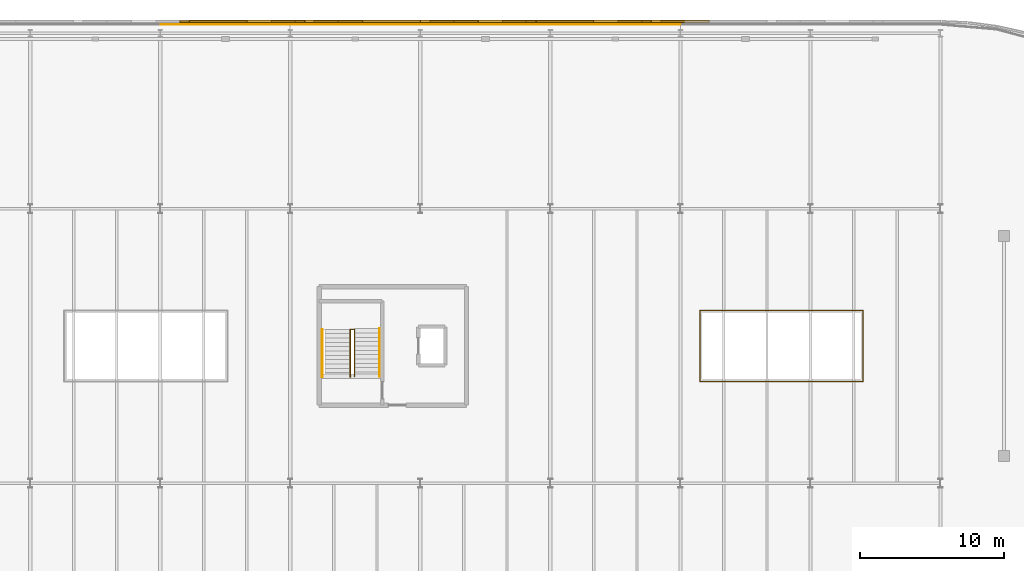
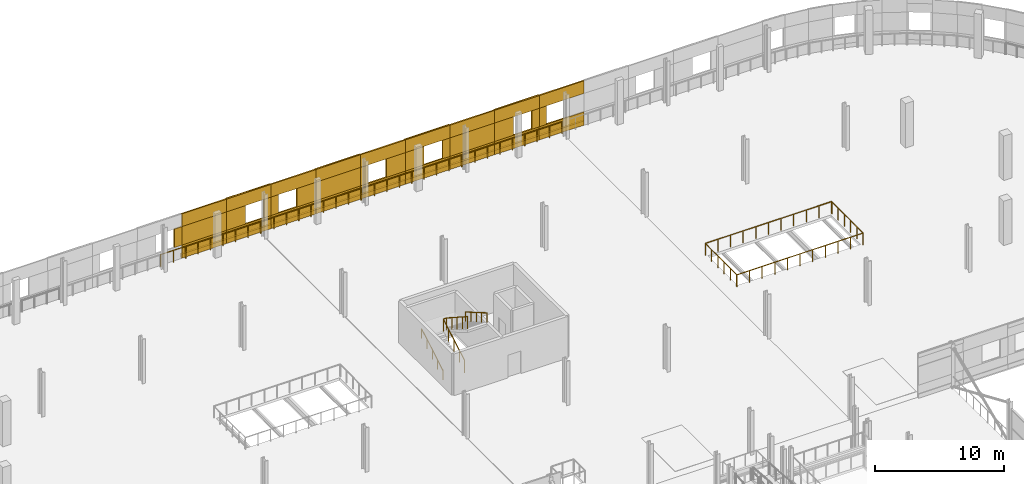
# One storey, part 129 of 135: 46 coverings, 9 railings.
"""IFC4 building model written with IfcOpenShell, lengths in metres."""

from ifc_helpers import new_model, si_unit, direction, frame, origin, origin_2d, place, context, subcontext, project, spatial, rectangle, circle, extrude, material, layer, layer_set, type_object, element, save


model = new_model("IFC4")

# Units and contexts
model_context = context("Model", 3, precision=1e-05, world=origin(), true_north=direction((0.0, 1.0)))
body_context = subcontext(model_context, "Body", "Model", "MODEL_VIEW")
ifc_project = project(units=[si_unit("LENGTHUNIT", "METRE"), si_unit("AREAUNIT", "SQUARE_METRE"), si_unit("VOLUMEUNIT", "CUBIC_METRE"), si_unit("PLANEANGLEUNIT", "RADIAN"), si_unit("MASSUNIT", "GRAM", prefix="KILO")], contexts=[model_context])

# Site, building, storey
site_placement = place(None, origin())
site = spatial("IfcSite", under=ifc_project, at=site_placement, CompositionType="ELEMENT")
building_placement = place(site_placement, origin())
building = spatial("IfcBuilding", under=site, at=building_placement, Name="Deido Ridge Mobility Hub", CompositionType="ELEMENT")
storey_placement = place(building_placement, frame((0.0, 0.0, 4.199951171875)))
storey = spatial("IfcBuildingStorey", under=building, at=storey_placement, Name="L01", CompositionType="ELEMENT", Elevation=4.199951171875)

# Coverings
ifc_material_1 = material(Name="Fired clay brick masonry", Category="masonry")
ifc_layer = layer(ifc_material_1, 0.114990234375, Name="Fired clay brick masonry")
ifc_layer_set = layer_set([ifc_layer], Name="Fired clay brick masonry")
covering_type = type_object("IfcCoveringType", Name="COV-BRK-SCREEN-115", PredefinedType="CLADDING", material=ifc_layer_set)
covering_1_placement = place(storey_placement, frame((99.0, 125.947509765625, 0.0), z_axis=(0.0, 0.0, 1.0), x_axis=(-1.0, 0.0, 0.0)))
element("IfcCovering", 1, at=covering_1_placement, inside=storey, type_object=covering_type, Name="Open brickwork spandrel course BKS1 (L01)", PredefinedType="CLADDING", context=body_context, shape_type="SweptSolid", body=[
    extrude(rectangle(XDim=4.01611328125, YDim=0.125, at=origin_2d()), origin(), (0.0, 0.0, 1.0), 1.25),
])
covering_2_placement = place(storey_placement, frame((99.0, 125.97509765625, 0.0), z_axis=(0.0, 0.0, 1.0), x_axis=(-1.0, 0.0, 0.0)))
element("IfcCovering", 2, at=covering_2_placement, inside=storey, type_object=covering_type, Name="Raised brick relief belt BKS1 (L01)", PredefinedType="CLADDING", context=body_context, shape_type="SweptSolid", body=[
    extrude(rectangle(XDim=4.01611328125, YDim=0.179931640625, at=origin_2d()), origin(), (0.0, 0.0, 1.0), 0.39990234375),
])
covering_3_placement = place(storey_placement, frame((99.0, 125.947509765625, 3.0), z_axis=(0.0, 0.0, 1.0), x_axis=(-1.0, 0.0, 0.0)))
element("IfcCovering", 3, at=covering_3_placement, inside=storey, type_object=covering_type, Name="Open brickwork lintel course BKS1 (L01)", PredefinedType="CLADDING", context=body_context, shape_type="SweptSolid", body=[
    extrude(rectangle(XDim=4.01611328125, YDim=0.125, at=origin_2d()), origin(), (0.0, 0.0, 1.0), 1.199951171875),
])
covering_4_placement = place(storey_placement, frame((97.327392578125, 125.97509765625, 1.25), z_axis=(0.0, 0.0, 1.0), x_axis=(-1.0, 0.0, 0.0)))
element("IfcCovering", 4, at=covering_4_placement, inside=storey, type_object=covering_type, Name="Open brickwork pier BKS1 (L01)", PredefinedType="CLADDING", context=body_context, shape_type="SweptSolid", body=[
    extrude(rectangle(XDim=0.655029296875, YDim=0.179931640625, at=origin_2d()), origin(), (0.0, 0.0, 1.0), 1.75),
])
covering_5_placement = place(storey_placement, frame((95.0, 125.947509765625, 0.0), z_axis=(0.0, 0.0, 1.0), x_axis=(-1.0, 0.0, 0.0)))
element("IfcCovering", 5, at=covering_5_placement, inside=storey, type_object=covering_type, Name="Open brickwork spandrel course BKS1 (L01)", PredefinedType="CLADDING", context=body_context, shape_type="SweptSolid", body=[
    extrude(rectangle(XDim=4.01611328125, YDim=0.125, at=origin_2d()), origin(), (0.0, 0.0, 1.0), 1.25),
])
covering_6_placement = place(storey_placement, frame((95.0, 125.97509765625, 0.0), z_axis=(0.0, 0.0, 1.0), x_axis=(-1.0, 0.0, 0.0)))
element("IfcCovering", 6, at=covering_6_placement, inside=storey, type_object=covering_type, Name="Raised brick relief belt BKS1 (L01)", PredefinedType="CLADDING", context=body_context, shape_type="SweptSolid", body=[
    extrude(rectangle(XDim=4.01611328125, YDim=0.179931640625, at=origin_2d()), origin(), (0.0, 0.0, 1.0), 0.39990234375),
])
covering_7_placement = place(storey_placement, frame((95.0, 125.947509765625, 3.0), z_axis=(0.0, 0.0, 1.0), x_axis=(-1.0, 0.0, 0.0)))
element("IfcCovering", 7, at=covering_7_placement, inside=storey, type_object=covering_type, Name="Open brickwork lintel course BKS1 (L01)", PredefinedType="CLADDING", context=body_context, shape_type="SweptSolid", body=[
    extrude(rectangle(XDim=4.01611328125, YDim=0.125, at=origin_2d()), origin(), (0.0, 0.0, 1.0), 1.199951171875),
])
covering_8_placement = place(storey_placement, frame((95.0, 125.97509765625, 3.83984375), z_axis=(0.0, 0.0, 1.0), x_axis=(-1.0, 0.0, 0.0)))
element("IfcCovering", 8, at=covering_8_placement, inside=storey, type_object=covering_type, Name="Raised brick relief cornice BKS1 (L01)", PredefinedType="CLADDING", context=body_context, shape_type="SweptSolid", body=[
    extrude(rectangle(XDim=4.01611328125, YDim=0.179931640625, at=origin_2d()), origin(), (0.0, 0.0, 1.0), 0.360107421875),
])
covering_9_placement = place(storey_placement, frame((96.672607421875, 125.947509765625, 1.25), z_axis=(0.0, 0.0, 1.0), x_axis=(-1.0, 0.0, 0.0)))
element("IfcCovering", 9, at=covering_9_placement, inside=storey, type_object=covering_type, Name="Open brickwork pier BKS1 (L01)", PredefinedType="CLADDING", context=body_context, shape_type="SweptSolid", body=[
    extrude(rectangle(XDim=0.655029296875, YDim=0.125, at=origin_2d()), origin(), (0.0, 0.0, 1.0), 1.75),
])
covering_10_placement = place(storey_placement, frame((93.847412109375, 125.97509765625, 1.25), z_axis=(0.0, 0.0, 1.0), x_axis=(-1.0, 0.0, 0.0)))
element("IfcCovering", 10, at=covering_10_placement, inside=storey, type_object=covering_type, Name="Open brickwork pier BKS1 (L01)", PredefinedType="CLADDING", context=body_context, shape_type="SweptSolid", body=[
    extrude(rectangle(XDim=1.695068359375, YDim=0.179931640625, at=origin_2d()), origin(), (0.0, 0.0, 1.0), 1.75),
])
covering_11_placement = place(storey_placement, frame((91.0, 125.947509765625, 0.0), z_axis=(0.0, 0.0, 1.0), x_axis=(-1.0, 0.0, 0.0)))
element("IfcCovering", 11, at=covering_11_placement, inside=storey, type_object=covering_type, Name="Open brickwork spandrel course BKS1 (L01)", PredefinedType="CLADDING", context=body_context, shape_type="SweptSolid", body=[
    extrude(rectangle(XDim=4.01611328125, YDim=0.125, at=origin_2d()), origin(), (0.0, 0.0, 1.0), 1.25),
])
covering_12_placement = place(storey_placement, frame((91.0, 125.97509765625, 0.0), z_axis=(0.0, 0.0, 1.0), x_axis=(-1.0, 0.0, 0.0)))
element("IfcCovering", 12, at=covering_12_placement, inside=storey, type_object=covering_type, Name="Raised brick relief belt BKS1 (L01)", PredefinedType="CLADDING", context=body_context, shape_type="SweptSolid", body=[
    extrude(rectangle(XDim=4.01611328125, YDim=0.179931640625, at=origin_2d()), origin(), (0.0, 0.0, 1.0), 0.39990234375),
])
covering_13_placement = place(storey_placement, frame((91.0, 125.947509765625, 3.0), z_axis=(0.0, 0.0, 1.0), x_axis=(-1.0, 0.0, 0.0)))
element("IfcCovering", 13, at=covering_13_placement, inside=storey, type_object=covering_type, Name="Open brickwork lintel course BKS1 (L01)", PredefinedType="CLADDING", context=body_context, shape_type="SweptSolid", body=[
    extrude(rectangle(XDim=4.01611328125, YDim=0.125, at=origin_2d()), origin(), (0.0, 0.0, 1.0), 1.199951171875),
])
covering_14_placement = place(storey_placement, frame((91.0, 125.97509765625, 1.25), z_axis=(0.0, 0.0, 1.0), x_axis=(-1.0, 0.0, 0.0)))
element("IfcCovering", 14, at=covering_14_placement, inside=storey, type_object=covering_type, Name="Raised brick relief panel BKS1 (L01)", PredefinedType="CLADDING", context=body_context, shape_type="SweptSolid", body=[
    extrude(rectangle(XDim=4.008056640625, YDim=0.179931640625, at=origin_2d()), origin(), (0.0, 0.0, 1.0), 1.75),
])
covering_15_placement = place(storey_placement, frame((87.0, 125.947509765625, 0.0), z_axis=(0.0, 0.0, 1.0), x_axis=(-1.0, 0.0, 0.0)))
element("IfcCovering", 15, at=covering_15_placement, inside=storey, type_object=covering_type, Name="Open brickwork spandrel course BKS1 (L01)", PredefinedType="CLADDING", context=body_context, shape_type="SweptSolid", body=[
    extrude(rectangle(XDim=4.01611328125, YDim=0.125, at=origin_2d()), origin(), (0.0, 0.0, 1.0), 1.25),
])
covering_16_placement = place(storey_placement, frame((87.0, 125.97509765625, 0.0), z_axis=(0.0, 0.0, 1.0), x_axis=(-1.0, 0.0, 0.0)))
element("IfcCovering", 16, at=covering_16_placement, inside=storey, type_object=covering_type, Name="Raised brick relief belt BKS1 (L01)", PredefinedType="CLADDING", context=body_context, shape_type="SweptSolid", body=[
    extrude(rectangle(XDim=4.01611328125, YDim=0.179931640625, at=origin_2d()), origin(), (0.0, 0.0, 1.0), 0.39990234375),
])
covering_17_placement = place(storey_placement, frame((87.0, 125.947509765625, 3.0), z_axis=(0.0, 0.0, 1.0), x_axis=(-1.0, 0.0, 0.0)))
element("IfcCovering", 17, at=covering_17_placement, inside=storey, type_object=covering_type, Name="Open brickwork lintel course BKS1 (L01)", PredefinedType="CLADDING", context=body_context, shape_type="SweptSolid", body=[
    extrude(rectangle(XDim=4.01611328125, YDim=0.125, at=origin_2d()), origin(), (0.0, 0.0, 1.0), 1.199951171875),
])
covering_18_placement = place(storey_placement, frame((87.0, 125.97509765625, 3.83984375), z_axis=(0.0, 0.0, 1.0), x_axis=(-1.0, 0.0, 0.0)))
element("IfcCovering", 18, at=covering_18_placement, inside=storey, type_object=covering_type, Name="Raised brick relief cornice BKS1 (L01)", PredefinedType="CLADDING", context=body_context, shape_type="SweptSolid", body=[
    extrude(rectangle(XDim=4.01611328125, YDim=0.179931640625, at=origin_2d()), origin(), (0.0, 0.0, 1.0), 0.360107421875),
])
covering_19_placement = place(storey_placement, frame((88.672607421875, 125.947509765625, 1.25), z_axis=(0.0, 0.0, 1.0), x_axis=(-1.0, 0.0, 0.0)))
element("IfcCovering", 19, at=covering_19_placement, inside=storey, type_object=covering_type, Name="Open brickwork pier BKS1 (L01)", PredefinedType="CLADDING", context=body_context, shape_type="SweptSolid", body=[
    extrude(rectangle(XDim=0.655029296875, YDim=0.125, at=origin_2d()), origin(), (0.0, 0.0, 1.0), 1.75),
])
covering_20_placement = place(storey_placement, frame((85.847412109375, 125.97509765625, 1.25), z_axis=(0.0, 0.0, 1.0), x_axis=(-1.0, 0.0, 0.0)))
element("IfcCovering", 20, at=covering_20_placement, inside=storey, type_object=covering_type, Name="Open brickwork pier BKS1 (L01)", PredefinedType="CLADDING", context=body_context, shape_type="SweptSolid", body=[
    extrude(rectangle(XDim=1.695068359375, YDim=0.179931640625, at=origin_2d()), origin(), (0.0, 0.0, 1.0), 1.75),
])
covering_21_placement = place(storey_placement, frame((83.0, 125.947509765625, 0.0), z_axis=(0.0, 0.0, 1.0), x_axis=(-1.0, 0.0, 0.0)))
element("IfcCovering", 21, at=covering_21_placement, inside=storey, type_object=covering_type, Name="Open brickwork spandrel course BKS1 (L01)", PredefinedType="CLADDING", context=body_context, shape_type="SweptSolid", body=[
    extrude(rectangle(XDim=4.01611328125, YDim=0.125, at=origin_2d()), origin(), (0.0, 0.0, 1.0), 1.25),
])
covering_22_placement = place(storey_placement, frame((83.0, 125.97509765625, 0.0), z_axis=(0.0, 0.0, 1.0), x_axis=(-1.0, 0.0, 0.0)))
element("IfcCovering", 22, at=covering_22_placement, inside=storey, type_object=covering_type, Name="Raised brick relief belt BKS1 (L01)", PredefinedType="CLADDING", context=body_context, shape_type="SweptSolid", body=[
    extrude(rectangle(XDim=4.01611328125, YDim=0.179931640625, at=origin_2d()), origin(), (0.0, 0.0, 1.0), 0.39990234375),
])
covering_23_placement = place(storey_placement, frame((83.0, 125.947509765625, 3.0), z_axis=(0.0, 0.0, 1.0), x_axis=(-1.0, 0.0, 0.0)))
element("IfcCovering", 23, at=covering_23_placement, inside=storey, type_object=covering_type, Name="Open brickwork lintel course BKS1 (L01)", PredefinedType="CLADDING", context=body_context, shape_type="SweptSolid", body=[
    extrude(rectangle(XDim=4.01611328125, YDim=0.125, at=origin_2d()), origin(), (0.0, 0.0, 1.0), 1.199951171875),
])
covering_24_placement = place(storey_placement, frame((84.152587890625, 125.947509765625, 1.25), z_axis=(0.0, 0.0, 1.0), x_axis=(-1.0, 0.0, 0.0)))
element("IfcCovering", 24, at=covering_24_placement, inside=storey, type_object=covering_type, Name="Open brickwork pier BKS1 (L01)", PredefinedType="CLADDING", context=body_context, shape_type="SweptSolid", body=[
    extrude(rectangle(XDim=1.695068359375, YDim=0.125, at=origin_2d()), origin(), (0.0, 0.0, 1.0), 1.75),
])
covering_25_placement = place(storey_placement, frame((81.327392578125, 125.97509765625, 1.25), z_axis=(0.0, 0.0, 1.0), x_axis=(-1.0, 0.0, 0.0)))
element("IfcCovering", 25, at=covering_25_placement, inside=storey, type_object=covering_type, Name="Open brickwork pier BKS1 (L01)", PredefinedType="CLADDING", context=body_context, shape_type="SweptSolid", body=[
    extrude(rectangle(XDim=0.655029296875, YDim=0.179931640625, at=origin_2d()), origin(), (0.0, 0.0, 1.0), 1.75),
])
covering_26_placement = place(storey_placement, frame((79.0, 125.947509765625, 0.0), z_axis=(0.0, 0.0, 1.0), x_axis=(-1.0, 0.0, 0.0)))
element("IfcCovering", 26, at=covering_26_placement, inside=storey, type_object=covering_type, Name="Open brickwork spandrel course BKS1 (L01)", PredefinedType="CLADDING", context=body_context, shape_type="SweptSolid", body=[
    extrude(rectangle(XDim=4.01611328125, YDim=0.125, at=origin_2d()), origin(), (0.0, 0.0, 1.0), 1.25),
])
covering_27_placement = place(storey_placement, frame((79.0, 125.97509765625, 0.0), z_axis=(0.0, 0.0, 1.0), x_axis=(-1.0, 0.0, 0.0)))
element("IfcCovering", 27, at=covering_27_placement, inside=storey, type_object=covering_type, Name="Raised brick relief belt BKS1 (L01)", PredefinedType="CLADDING", context=body_context, shape_type="SweptSolid", body=[
    extrude(rectangle(XDim=4.01611328125, YDim=0.179931640625, at=origin_2d()), origin(), (0.0, 0.0, 1.0), 0.39990234375),
])
covering_28_placement = place(storey_placement, frame((79.0, 125.947509765625, 3.0), z_axis=(0.0, 0.0, 1.0), x_axis=(-1.0, 0.0, 0.0)))
element("IfcCovering", 28, at=covering_28_placement, inside=storey, type_object=covering_type, Name="Open brickwork lintel course BKS1 (L01)", PredefinedType="CLADDING", context=body_context, shape_type="SweptSolid", body=[
    extrude(rectangle(XDim=4.01611328125, YDim=0.125, at=origin_2d()), origin(), (0.0, 0.0, 1.0), 1.199951171875),
])
covering_29_placement = place(storey_placement, frame((79.0, 125.97509765625, 3.83984375), z_axis=(0.0, 0.0, 1.0), x_axis=(-1.0, 0.0, 0.0)))
element("IfcCovering", 29, at=covering_29_placement, inside=storey, type_object=covering_type, Name="Raised brick relief cornice BKS1 (L01)", PredefinedType="CLADDING", context=body_context, shape_type="SweptSolid", body=[
    extrude(rectangle(XDim=4.01611328125, YDim=0.179931640625, at=origin_2d()), origin(), (0.0, 0.0, 1.0), 0.360107421875),
])
covering_30_placement = place(storey_placement, frame((79.0, 125.97509765625, 1.25), z_axis=(0.0, 0.0, 1.0), x_axis=(-1.0, 0.0, 0.0)))
element("IfcCovering", 30, at=covering_30_placement, inside=storey, type_object=covering_type, Name="Raised brick relief panel BKS1 (L01)", PredefinedType="CLADDING", context=body_context, shape_type="SweptSolid", body=[
    extrude(rectangle(XDim=4.008056640625, YDim=0.179931640625, at=origin_2d()), origin(), (0.0, 0.0, 1.0), 1.75),
])
covering_31_placement = place(storey_placement, frame((75.0, 125.947509765625, 0.0), z_axis=(0.0, 0.0, 1.0), x_axis=(-1.0, 0.0, 0.0)))
element("IfcCovering", 31, at=covering_31_placement, inside=storey, type_object=covering_type, Name="Open brickwork spandrel course BKS1 (L01)", PredefinedType="CLADDING", context=body_context, shape_type="SweptSolid", body=[
    extrude(rectangle(XDim=4.01611328125, YDim=0.125, at=origin_2d()), origin(), (0.0, 0.0, 1.0), 1.25),
])
covering_32_placement = place(storey_placement, frame((75.0, 125.97509765625, 0.0), z_axis=(0.0, 0.0, 1.0), x_axis=(-1.0, 0.0, 0.0)))
element("IfcCovering", 32, at=covering_32_placement, inside=storey, type_object=covering_type, Name="Raised brick relief belt BKS1 (L01)", PredefinedType="CLADDING", context=body_context, shape_type="SweptSolid", body=[
    extrude(rectangle(XDim=4.01611328125, YDim=0.179931640625, at=origin_2d()), origin(), (0.0, 0.0, 1.0), 0.39990234375),
])
covering_33_placement = place(storey_placement, frame((75.0, 125.947509765625, 3.0), z_axis=(0.0, 0.0, 1.0), x_axis=(-1.0, 0.0, 0.0)))
element("IfcCovering", 33, at=covering_33_placement, inside=storey, type_object=covering_type, Name="Open brickwork lintel course BKS1 (L01)", PredefinedType="CLADDING", context=body_context, shape_type="SweptSolid", body=[
    extrude(rectangle(XDim=4.01611328125, YDim=0.125, at=origin_2d()), origin(), (0.0, 0.0, 1.0), 1.199951171875),
])
covering_34_placement = place(storey_placement, frame((76.152587890625, 125.947509765625, 1.25), z_axis=(0.0, 0.0, 1.0), x_axis=(-1.0, 0.0, 0.0)))
element("IfcCovering", 34, at=covering_34_placement, inside=storey, type_object=covering_type, Name="Open brickwork pier BKS1 (L01)", PredefinedType="CLADDING", context=body_context, shape_type="SweptSolid", body=[
    extrude(rectangle(XDim=1.695068359375, YDim=0.125, at=origin_2d()), origin(), (0.0, 0.0, 1.0), 1.75),
])
covering_35_placement = place(storey_placement, frame((73.327392578125, 125.97509765625, 1.25), z_axis=(0.0, 0.0, 1.0), x_axis=(-1.0, 0.0, 0.0)))
element("IfcCovering", 35, at=covering_35_placement, inside=storey, type_object=covering_type, Name="Open brickwork pier BKS1 (L01)", PredefinedType="CLADDING", context=body_context, shape_type="SweptSolid", body=[
    extrude(rectangle(XDim=0.655029296875, YDim=0.179931640625, at=origin_2d()), origin(), (0.0, 0.0, 1.0), 1.75),
])
covering_36_placement = place(storey_placement, frame((71.0, 125.947509765625, 0.0), z_axis=(0.0, 0.0, 1.0), x_axis=(-1.0, 0.0, 0.0)))
element("IfcCovering", 36, at=covering_36_placement, inside=storey, type_object=covering_type, Name="Open brickwork spandrel course BKS1 (L01)", PredefinedType="CLADDING", context=body_context, shape_type="SweptSolid", body=[
    extrude(rectangle(XDim=4.01611328125, YDim=0.125, at=origin_2d()), origin(), (0.0, 0.0, 1.0), 1.25),
])
covering_37_placement = place(storey_placement, frame((71.0, 125.97509765625, 0.0), z_axis=(0.0, 0.0, 1.0), x_axis=(-1.0, 0.0, 0.0)))
element("IfcCovering", 37, at=covering_37_placement, inside=storey, type_object=covering_type, Name="Raised brick relief belt BKS1 (L01)", PredefinedType="CLADDING", context=body_context, shape_type="SweptSolid", body=[
    extrude(rectangle(XDim=4.01611328125, YDim=0.179931640625, at=origin_2d()), origin(), (0.0, 0.0, 1.0), 0.39990234375),
])
covering_38_placement = place(storey_placement, frame((71.0, 125.947509765625, 3.0), z_axis=(0.0, 0.0, 1.0), x_axis=(-1.0, 0.0, 0.0)))
element("IfcCovering", 38, at=covering_38_placement, inside=storey, type_object=covering_type, Name="Open brickwork lintel course BKS1 (L01)", PredefinedType="CLADDING", context=body_context, shape_type="SweptSolid", body=[
    extrude(rectangle(XDim=4.01611328125, YDim=0.125, at=origin_2d()), origin(), (0.0, 0.0, 1.0), 1.199951171875),
])
covering_39_placement = place(storey_placement, frame((71.0, 125.97509765625, 3.83984375), z_axis=(0.0, 0.0, 1.0), x_axis=(-1.0, 0.0, 0.0)))
element("IfcCovering", 39, at=covering_39_placement, inside=storey, type_object=covering_type, Name="Raised brick relief cornice BKS1 (L01)", PredefinedType="CLADDING", context=body_context, shape_type="SweptSolid", body=[
    extrude(rectangle(XDim=4.01611328125, YDim=0.179931640625, at=origin_2d()), origin(), (0.0, 0.0, 1.0), 0.360107421875),
])
covering_40_placement = place(storey_placement, frame((72.672607421875, 125.947509765625, 1.25), z_axis=(0.0, 0.0, 1.0), x_axis=(-1.0, 0.0, 0.0)))
element("IfcCovering", 40, at=covering_40_placement, inside=storey, type_object=covering_type, Name="Open brickwork pier BKS1 (L01)", PredefinedType="CLADDING", context=body_context, shape_type="SweptSolid", body=[
    extrude(rectangle(XDim=0.655029296875, YDim=0.125, at=origin_2d()), origin(), (0.0, 0.0, 1.0), 1.75),
])
covering_41_placement = place(storey_placement, frame((69.847412109375, 125.97509765625, 1.25), z_axis=(0.0, 0.0, 1.0), x_axis=(-1.0, 0.0, 0.0)))
element("IfcCovering", 41, at=covering_41_placement, inside=storey, type_object=covering_type, Name="Open brickwork pier BKS1 (L01)", PredefinedType="CLADDING", context=body_context, shape_type="SweptSolid", body=[
    extrude(rectangle(XDim=1.695068359375, YDim=0.179931640625, at=origin_2d()), origin(), (0.0, 0.0, 1.0), 1.75),
])
covering_42_placement = place(storey_placement, frame((67.0, 125.947509765625, 0.0), z_axis=(0.0, 0.0, 1.0), x_axis=(-1.0, 0.0, 0.0)))
element("IfcCovering", 42, at=covering_42_placement, inside=storey, type_object=covering_type, Name="Open brickwork spandrel course BKS1 (L01)", PredefinedType="CLADDING", context=body_context, shape_type="SweptSolid", body=[
    extrude(rectangle(XDim=4.01611328125, YDim=0.125, at=origin_2d()), origin(), (0.0, 0.0, 1.0), 1.25),
])
covering_43_placement = place(storey_placement, frame((67.0, 125.97509765625, 0.0), z_axis=(0.0, 0.0, 1.0), x_axis=(-1.0, 0.0, 0.0)))
element("IfcCovering", 43, at=covering_43_placement, inside=storey, type_object=covering_type, Name="Raised brick relief belt BKS1 (L01)", PredefinedType="CLADDING", context=body_context, shape_type="SweptSolid", body=[
    extrude(rectangle(XDim=4.01611328125, YDim=0.179931640625, at=origin_2d()), origin(), (0.0, 0.0, 1.0), 0.39990234375),
])
covering_44_placement = place(storey_placement, frame((67.0, 125.947509765625, 3.0), z_axis=(0.0, 0.0, 1.0), x_axis=(-1.0, 0.0, 0.0)))
element("IfcCovering", 44, at=covering_44_placement, inside=storey, type_object=covering_type, Name="Open brickwork lintel course BKS1 (L01)", PredefinedType="CLADDING", context=body_context, shape_type="SweptSolid", body=[
    extrude(rectangle(XDim=4.01611328125, YDim=0.125, at=origin_2d()), origin(), (0.0, 0.0, 1.0), 1.199951171875),
])
covering_45_placement = place(storey_placement, frame((67.0, 125.97509765625, 1.25), z_axis=(0.0, 0.0, 1.0), x_axis=(-1.0, 0.0, 0.0)))
element("IfcCovering", 45, at=covering_45_placement, inside=storey, type_object=covering_type, Name="Raised brick relief panel BKS1 (L01)", PredefinedType="CLADDING", context=body_context, shape_type="SweptSolid", body=[
    extrude(rectangle(XDim=4.008056640625, YDim=0.179931640625, at=origin_2d()), origin(), (0.0, 0.0, 1.0), 1.75),
])
covering_46_placement = place(storey_placement, frame((64.672607421875, 125.947509765625, 1.25), z_axis=(0.0, 0.0, 1.0), x_axis=(-1.0, 0.0, 0.0)))
element("IfcCovering", 46, at=covering_46_placement, inside=storey, type_object=covering_type, Name="Open brickwork pier BKS1 (L01)", PredefinedType="CLADDING", context=body_context, shape_type="SweptSolid", body=[
    extrude(rectangle(XDim=0.655029296875, YDim=0.125, at=origin_2d()), origin(), (0.0, 0.0, 1.0), 1.75),
])

# Railings
ifc_material_2 = material(Name="Galvanised steel work", Category="steel")
railing_type_1 = type_object("IfcRailingType", Name="RL-GRD-EXT-1150", PredefinedType="GUARDRAIL", material=ifc_material_2)
for number, where, name in (
    (47, (98.9599609375, 125.75, 0.0), "Parking drum perimeter guard (L01)"),
    (48, (89.9599609375, 125.75, 0.0), "Parking drum perimeter guard (L01)"),
    (49, (80.9599609375, 125.75, 0.0), "Parking drum perimeter guard (L01)"),
    (50, (71.9599609375, 125.75, 0.0), "Parking drum perimeter guard (L01)"),
):
    element("IfcRailing", number, at=place(storey_placement, frame(where)), inside=storey, type_object=railing_type_1, Name=name, PredefinedType="GUARDRAIL", context=body_context, shape_type="SweptSolid", body=[
        extrude(circle(Radius=0.02392578125, at=origin_2d()), frame((0.0, 0.0, 1.1259765625), z_axis=(-1.0, 0.0, 0.0), x_axis=(0.0, -1.0, 0.0)), (0.0, 0.0, 1.0), 8.919921875),
        extrude(circle(Radius=0.02099609375, at=origin_2d()), origin(), (0.0, 0.0, 1.0), 1.101806640625),
        extrude(circle(Radius=0.02099609375, at=origin_2d()), frame((-1.114990234375, 0.0, 0.0)), (0.0, 0.0, 1.0), 1.101806640625),
        extrude(circle(Radius=0.02099609375, at=origin_2d()), frame((-2.22998046875, 0.0, 0.0)), (0.0, 0.0, 1.0), 1.101806640625),
        extrude(circle(Radius=0.02099609375, at=origin_2d()), frame((-3.344970703125, 0.0, 0.0)), (0.0, 0.0, 1.0), 1.101806640625),
        extrude(circle(Radius=0.02099609375, at=origin_2d()), frame((-4.4599609375, 0.0, 0.0)), (0.0, 0.0, 1.0), 1.101806640625),
        extrude(circle(Radius=0.02099609375, at=origin_2d()), frame((-5.574951171875, 0.0, 0.0)), (0.0, 0.0, 1.0), 1.101806640625),
        extrude(circle(Radius=0.02099609375, at=origin_2d()), frame((-6.68994140625, 0.0, 0.0)), (0.0, 0.0, 1.0), 1.101806640625),
        extrude(circle(Radius=0.02099609375, at=origin_2d()), frame((-7.804931640625, 0.0, 0.0)), (0.0, 0.0, 1.0), 1.101806640625),
        extrude(circle(Radius=0.02099609375, at=origin_2d()), frame((-8.919921875, 0.0, 0.0)), (0.0, 0.0, 1.0), 1.101806640625),
    ])
railing_1_placement = place(storey_placement, frame((100.35009765625, 101.050048828125, 0.0)))
element("IfcRailing", 51, at=railing_1_placement, inside=storey, type_object=railing_type_1, Name="Parking east lightwell guard (L01) A", PredefinedType="GUARDRAIL", context=body_context, shape_type="SweptSolid", body=[
    extrude(circle(Radius=0.02392578125, at=origin_2d()), frame((0.0, 0.0, 1.1259765625), z_axis=(1.0, 0.0, 0.0), x_axis=(0.0, 1.0, 0.0)), (0.0, 0.0, 1.0), 11.2998046875),
    extrude(circle(Radius=0.02392578125, at=origin_2d()), frame((11.2998046875, 0.0, 1.1259765625), z_axis=(0.0, 1.0, 0.0), x_axis=(-1.0, 0.0, 0.0)), (0.0, 0.0, 1.0), 4.83984375),
    extrude(circle(Radius=0.02099609375, at=origin_2d()), origin(), (0.0, 0.0, 1.0), 1.101806640625),
    extrude(circle(Radius=0.02099609375, at=origin_2d()), frame((1.1298828125, 0.0, 0.0)), (0.0, 0.0, 1.0), 1.101806640625),
    extrude(circle(Radius=0.02099609375, at=origin_2d()), frame((2.260009765625, 0.0, 0.0)), (0.0, 0.0, 1.0), 1.101806640625),
    extrude(circle(Radius=0.02099609375, at=origin_2d()), frame((3.389892578125, 0.0, 0.0)), (0.0, 0.0, 1.0), 1.101806640625),
    extrude(circle(Radius=0.02099609375, at=origin_2d()), frame((4.52001953125, 0.0, 0.0)), (0.0, 0.0, 1.0), 1.101806640625),
    extrude(circle(Radius=0.02099609375, at=origin_2d()), frame((5.64990234375, 0.0, 0.0)), (0.0, 0.0, 1.0), 1.101806640625),
    extrude(circle(Radius=0.02099609375, at=origin_2d()), frame((6.77978515625, 0.0, 0.0)), (0.0, 0.0, 1.0), 1.101806640625),
    extrude(circle(Radius=0.02099609375, at=origin_2d()), frame((7.909912109375, 0.0, 0.0)), (0.0, 0.0, 1.0), 1.101806640625),
    extrude(circle(Radius=0.02099609375, at=origin_2d()), frame((9.039794921875, 0.0, 0.0)), (0.0, 0.0, 1.0), 1.101806640625),
    extrude(circle(Radius=0.02099609375, at=origin_2d()), frame((10.169921875, 0.0, 0.0)), (0.0, 0.0, 1.0), 1.101806640625),
    extrude(circle(Radius=0.02099609375, at=origin_2d()), frame((11.2998046875, 0.0, 0.0)), (0.0, 0.0, 1.0), 1.101806640625),
    extrude(circle(Radius=0.02099609375, at=origin_2d()), frame((11.2998046875, 0.968017578125, 0.0)), (0.0, 0.0, 1.0), 1.101806640625),
    extrude(circle(Radius=0.02099609375, at=origin_2d()), frame((11.2998046875, 1.93603515625, 0.0)), (0.0, 0.0, 1.0), 1.101806640625),
    extrude(circle(Radius=0.02099609375, at=origin_2d()), frame((11.2998046875, 2.90380859375, 0.0)), (0.0, 0.0, 1.0), 1.101806640625),
    extrude(circle(Radius=0.02099609375, at=origin_2d()), frame((11.2998046875, 3.871826171875, 0.0)), (0.0, 0.0, 1.0), 1.101806640625),
    extrude(circle(Radius=0.02099609375, at=origin_2d()), frame((11.2998046875, 4.83984375, 0.0)), (0.0, 0.0, 1.0), 1.101806640625),
])
railing_2_placement = place(storey_placement, frame((111.64990234375, 105.949951171875, 0.0)))
element("IfcRailing", 52, at=railing_2_placement, inside=storey, type_object=railing_type_1, Name="Parking east lightwell guard (L01) B", PredefinedType="GUARDRAIL", context=body_context, shape_type="SweptSolid", body=[
    extrude(circle(Radius=0.02392578125, at=origin_2d()), frame((0.0, 0.0, 1.1259765625), z_axis=(-1.0, 0.0, 0.0), x_axis=(0.0, -1.0, 0.0)), (0.0, 0.0, 1.0), 11.2998046875),
    extrude(circle(Radius=0.02392578125, at=origin_2d()), frame((-11.2998046875, 0.0, 1.1259765625), z_axis=(0.0, -1.0, 0.0), x_axis=(1.0, 0.0, 0.0)), (0.0, 0.0, 1.0), 4.83984375),
    extrude(circle(Radius=0.02099609375, at=origin_2d()), origin(), (0.0, 0.0, 1.0), 1.101806640625),
    extrude(circle(Radius=0.02099609375, at=origin_2d()), frame((-1.1298828125, 0.0, 0.0)), (0.0, 0.0, 1.0), 1.101806640625),
    extrude(circle(Radius=0.02099609375, at=origin_2d()), frame((-2.260009765625, 0.0, 0.0)), (0.0, 0.0, 1.0), 1.101806640625),
    extrude(circle(Radius=0.02099609375, at=origin_2d()), frame((-3.389892578125, 0.0, 0.0)), (0.0, 0.0, 1.0), 1.101806640625),
    extrude(circle(Radius=0.02099609375, at=origin_2d()), frame((-4.52001953125, 0.0, 0.0)), (0.0, 0.0, 1.0), 1.101806640625),
    extrude(circle(Radius=0.02099609375, at=origin_2d()), frame((-5.64990234375, 0.0, 0.0)), (0.0, 0.0, 1.0), 1.101806640625),
    extrude(circle(Radius=0.02099609375, at=origin_2d()), frame((-6.77978515625, 0.0, 0.0)), (0.0, 0.0, 1.0), 1.101806640625),
    extrude(circle(Radius=0.02099609375, at=origin_2d()), frame((-7.909912109375, 0.0, 0.0)), (0.0, 0.0, 1.0), 1.101806640625),
    extrude(circle(Radius=0.02099609375, at=origin_2d()), frame((-9.039794921875, 0.0, 0.0)), (0.0, 0.0, 1.0), 1.101806640625),
    extrude(circle(Radius=0.02099609375, at=origin_2d()), frame((-10.169921875, 0.0, 0.0)), (0.0, 0.0, 1.0), 1.101806640625),
    extrude(circle(Radius=0.02099609375, at=origin_2d()), frame((-11.2998046875, 0.0, 0.0)), (0.0, 0.0, 1.0), 1.101806640625),
    extrude(circle(Radius=0.02099609375, at=origin_2d()), frame((-11.2998046875, -0.968017578125, 0.0)), (0.0, 0.0, 1.0), 1.101806640625),
    extrude(circle(Radius=0.02099609375, at=origin_2d()), frame((-11.2998046875, -1.93603515625, 0.0)), (0.0, 0.0, 1.0), 1.101806640625),
    extrude(circle(Radius=0.02099609375, at=origin_2d()), frame((-11.2998046875, -2.90380859375, 0.0)), (0.0, 0.0, 1.0), 1.101806640625),
    extrude(circle(Radius=0.02099609375, at=origin_2d()), frame((-11.2998046875, -3.871826171875, 0.0)), (0.0, 0.0, 1.0), 1.101806640625),
    extrude(circle(Radius=0.02099609375, at=origin_2d()), frame((-11.2998046875, -4.83984375, 0.0)), (0.0, 0.0, 1.0), 1.101806640625),
])
railing_type_2 = type_object("IfcRailingType", Name="RL-STAIR-GRD-1150", PredefinedType="GUARDRAIL", material=ifc_material_2)
railing_3_placement = place(storey_placement, frame((76.14990234375, 101.35009765625, 0.175048828125)))
element("IfcRailing", 53, at=railing_3_placement, inside=storey, type_object=railing_type_2, Name="ST5 inner well guard (L01)", PredefinedType="GUARDRAIL", context=body_context, shape_type="SweptSolid", body=[
    extrude(circle(Radius=0.02392578125, at=origin_2d()), frame((0.0, 0.0, 1.1259765625), z_axis=(0.0, 0.863760357493, 0.503902812876), x_axis=(-1.0, 0.0, 0.0)), (0.0, 0.0, 1.0), 3.8203125),
    extrude(circle(Radius=0.02392578125, at=origin_2d()), frame((0.0, 3.2998046875, 3.05078125), z_axis=(1.0, 0.0, 0.0), x_axis=(0.0, 1.0, 0.0)), (0.0, 0.0, 1.0), 0.300048828125),
    extrude(circle(Radius=0.02392578125, at=origin_2d()), frame((0.300048828125, 3.2998046875, 3.05078125), z_axis=(0.0, -0.839933924917, 0.542688678501), x_axis=(1.0, 0.0, 0.0)), (0.0, 0.0, 1.0), 3.869384765625),
    extrude(circle(Radius=0.02099609375, at=origin_2d()), origin(), (0.0, 0.0, 1.0), 1.101806640625),
    extrude(circle(Radius=0.02099609375, at=origin_2d()), frame((0.0, 0.824951171875, 0.481201171875)), (0.0, 0.0, 1.0), 1.101806640625),
    extrude(circle(Radius=0.02099609375, at=origin_2d()), frame((0.0, 1.64990234375, 0.96240234375)), (0.0, 0.0, 1.0), 1.101806640625),
    extrude(circle(Radius=0.02099609375, at=origin_2d()), frame((0.0, 2.474853515625, 1.44384765625)), (0.0, 0.0, 1.0), 1.101806640625),
    extrude(circle(Radius=0.02099609375, at=origin_2d()), frame((0.0, 3.2998046875, 1.925048828125)), (0.0, 0.0, 1.0), 1.101806640625),
    extrude(circle(Radius=0.02099609375, at=origin_2d()), frame((0.300048828125, 3.2998046875, 1.925048828125)), (0.0, 0.0, 1.0), 1.101806640625),
    extrude(circle(Radius=0.02099609375, at=origin_2d()), frame((0.300048828125, 2.4873046875, 2.449951171875)), (0.0, 0.0, 1.0), 1.101806640625),
    extrude(circle(Radius=0.02099609375, at=origin_2d()), frame((0.300048828125, 1.6748046875, 2.97509765625)), (0.0, 0.0, 1.0), 1.101806640625),
    extrude(circle(Radius=0.02099609375, at=origin_2d()), frame((0.300048828125, 0.8623046875, 3.5)), (0.0, 0.0, 1.0), 1.101806640625),
    extrude(circle(Radius=0.02099609375, at=origin_2d()), frame((0.300048828125, 0.0498046875, 4.02490234375)), (0.0, 0.0, 1.0), 1.101806640625),
])
ifc_material_3 = material(Name="Stainless steel 316", Category="steel")
railing_type_3 = type_object("IfcRailingType", Name="RL-STAIR-HND-900", PredefinedType="HANDRAIL", material=ifc_material_3)
railing_4_placement = place(storey_placement, frame((74.2099609375, 101.35009765625, 0.175048828125)))
element("IfcRailing", 54, at=railing_4_placement, inside=storey, type_object=railing_type_3, Name="ST5 flight 1 handrail (L01)", PredefinedType="HANDRAIL", context=body_context, shape_type="SweptSolid", body=[
    extrude(circle(Radius=0.02392578125, at=origin_2d()), frame((0.0, 0.0, 0.8759765625), z_axis=(0.0, 0.863760357493, 0.503902812876), x_axis=(-1.0, 0.0, 0.0)), (0.0, 0.0, 1.0), 3.8203125),
    extrude(circle(Radius=0.02099609375, at=origin_2d()), origin(), (0.0, 0.0, 1.0), 0.851806640625),
    extrude(circle(Radius=0.02099609375, at=origin_2d()), frame((0.0, 0.824951171875, 0.481201171875)), (0.0, 0.0, 1.0), 0.851806640625),
    extrude(circle(Radius=0.02099609375, at=origin_2d()), frame((0.0, 1.64990234375, 0.96240234375)), (0.0, 0.0, 1.0), 0.851806640625),
    extrude(circle(Radius=0.02099609375, at=origin_2d()), frame((0.0, 2.474853515625, 1.44384765625)), (0.0, 0.0, 1.0), 0.851806640625),
    extrude(circle(Radius=0.02099609375, at=origin_2d()), frame((0.0, 3.2998046875, 1.925048828125)), (0.0, 0.0, 1.0), 0.851806640625),
])
railing_5_placement = place(storey_placement, frame((78.175048828125, 104.699951171875, 2.275146484375)))
element("IfcRailing", 55, at=railing_5_placement, inside=storey, type_object=railing_type_3, Name="ST5 flight 2 handrail (L01)", PredefinedType="HANDRAIL", context=body_context, shape_type="SweptSolid", body=[
    extrude(circle(Radius=0.02392578125, at=origin_2d()), frame((0.0, 0.0, 0.8759765625), z_axis=(0.0, -0.863804395585, 0.503827317807), x_axis=(1.0, 0.0, 0.0)), (0.0, 0.0, 1.0), 3.8203125),
    extrude(circle(Radius=0.02099609375, at=origin_2d()), origin(), (0.0, 0.0, 1.0), 0.851806640625),
    extrude(circle(Radius=0.02099609375, at=origin_2d()), frame((0.0, -0.824951171875, 0.481201171875)), (0.0, 0.0, 1.0), 0.851806640625),
    extrude(circle(Radius=0.02099609375, at=origin_2d()), frame((0.0, -1.64990234375, 0.96240234375)), (0.0, 0.0, 1.0), 0.851806640625),
    extrude(circle(Radius=0.02099609375, at=origin_2d()), frame((0.0, -2.47509765625, 1.443603515625)), (0.0, 0.0, 1.0), 0.851806640625),
    extrude(circle(Radius=0.02099609375, at=origin_2d()), frame((0.0, -3.300048828125, 1.9248046875)), (0.0, 0.0, 1.0), 0.851806640625),
])

save(model, "model.ifc")
